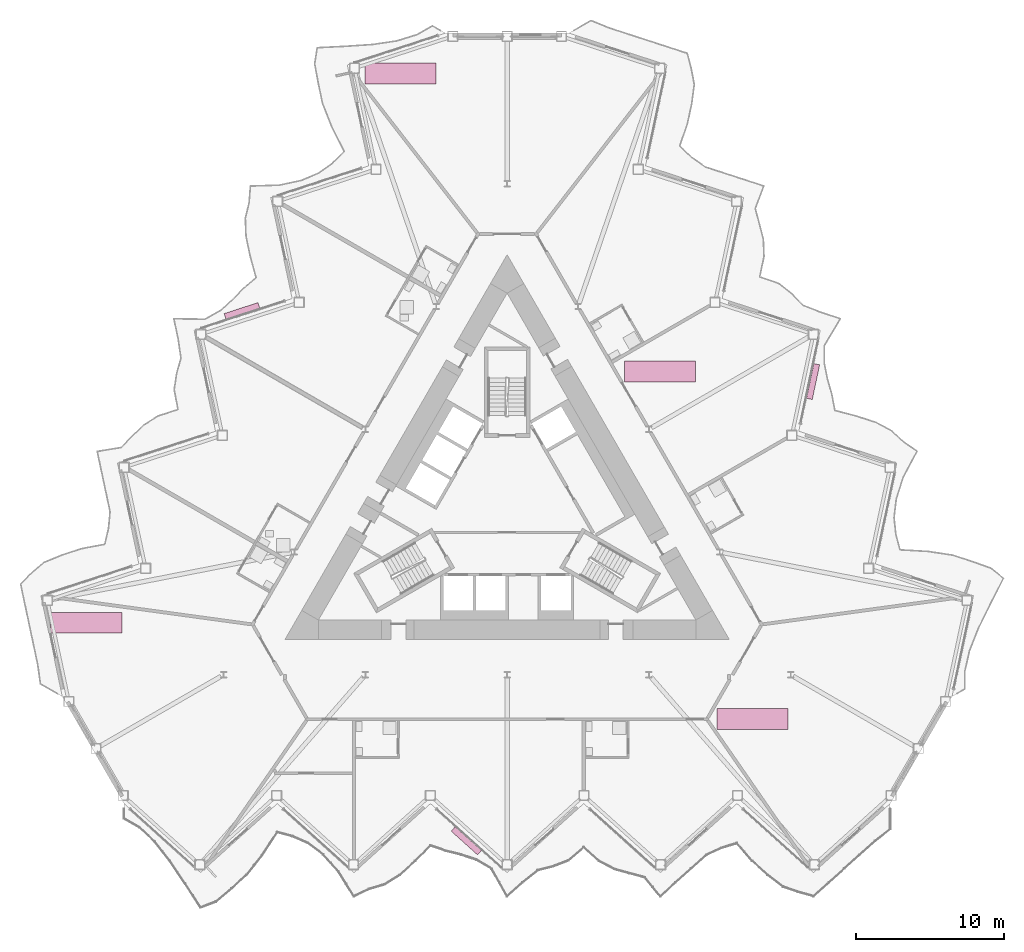
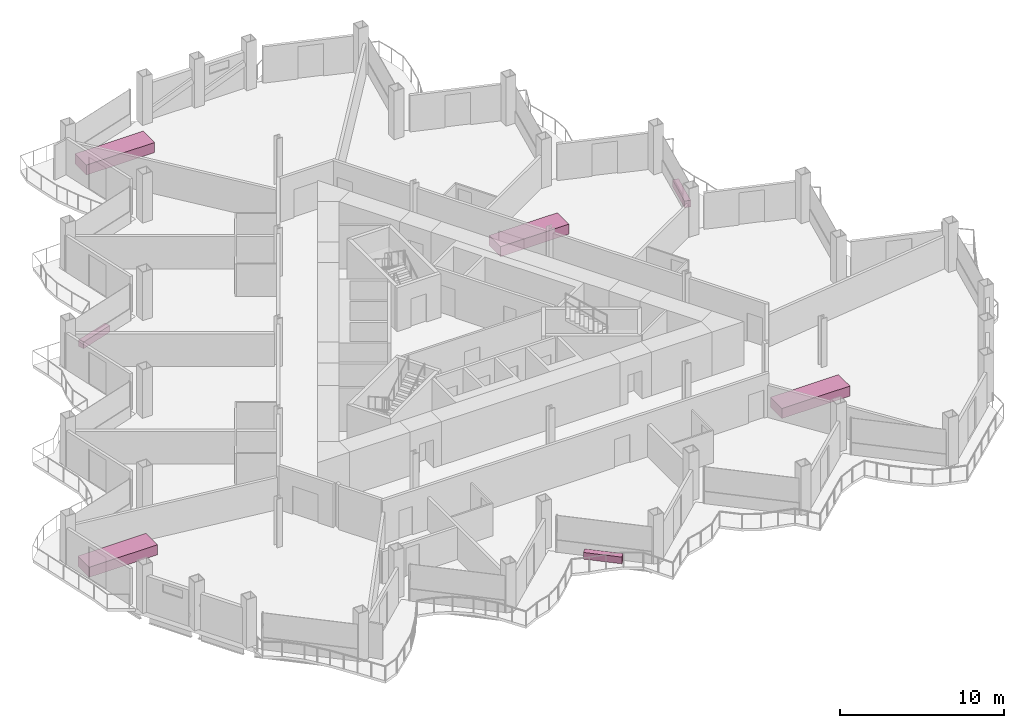
# One storey, part 23 of 23: 7 furniture elements.
"""IFC4 building model written with IfcOpenShell, lengths in metres."""

from ifc_helpers import new_model, si_unit, direction, frame, origin, origin_2d, place, context, subcontext, project, spatial, rectangle, extrude, material, type_object, element, save


model = new_model("IFC4")

# Units and contexts
model_context = context("Model", 3, precision=1e-05, world=origin(), true_north=direction((0.0, 1.0)))
body_context = subcontext(model_context, "Body", "Model", "MODEL_VIEW")
ifc_project = project(units=[si_unit("LENGTHUNIT", "METRE"), si_unit("AREAUNIT", "SQUARE_METRE"), si_unit("VOLUMEUNIT", "CUBIC_METRE"), si_unit("PLANEANGLEUNIT", "RADIAN"), si_unit("MASSUNIT", "GRAM", prefix="KILO")], contexts=[model_context])

# Site, building, storey
site_placement = place(None, origin())
site = spatial("IfcSite", under=ifc_project, at=site_placement, CompositionType="ELEMENT")
building_placement = place(site_placement, origin())
building = spatial("IfcBuilding", under=site, at=building_placement, Name="Cormorant Prow Tower", CompositionType="ELEMENT")
storey_placement = place(building_placement, frame((0.0, 0.0, 249.0)))
storey = spatial("IfcBuildingStorey", under=building, at=storey_placement, Name="L55", CompositionType="ELEMENT", Elevation=249.0)

# Furniture
ifc_material_1 = material(Name="Terracotta", Category="masonry")
furniture_type_1 = type_object("IfcFurnitureType", Name="Balcony planter 2400x400x500", AssemblyPlace="NOTDEFINED", PredefinedType="USERDEFINED", material=ifc_material_1)
for number, where, z_axis, x_axis, name in (
    (1, (-2.755126953125, -22.274169921875, 0.0), (0.0, 0.0, 1.0), (0.743144812176, -0.669130621132, 0.0), "Balcony planter S04"),
    (2, (20.66748046875, 8.7509765625, 0.0), (0.0, 0.0, 1.0), (0.207911667327, 0.978147605727, 0.0), "Balcony planter ENE04"),
    (3, (-17.912353515625, 13.52294921875, 0.0), (0.0, 0.0, 1.0), (-0.951056517978, -0.309016989196, 0.0), "Balcony planter WNW04"),
):
    element("IfcFurniture", number, at=place(storey_placement, frame(where, z_axis=z_axis, x_axis=x_axis)), inside=storey, type_object=furniture_type_1, Name=name, ObjectType="PLANTER", PredefinedType="USERDEFINED", context=body_context, shape_type="SweptSolid", body=[
        extrude(rectangle(XDim=2.39990234375, YDim=0.39990234375, at=origin_2d()), origin(), (0.0, 0.0, 1.0), 0.5),
    ])
ifc_material_2 = material(Name="Timber joinery", Category="wood")
furniture_type_2 = type_object("IfcFurnitureType", Name="Conference table 4800x1400", AssemblyPlace="NOTDEFINED", PredefinedType="TABLE", material=ifc_material_2)
for number, where, z_axis, x_axis, name in (
    (4, (16.561279296875, -14.04052734375, 0.0), (0.0, 0.0, 1.0), (1.0, 0.0, 0.0), "Conference table"),
    (5, (10.3203125, 9.427490234375, 0.0), (0.0, 0.0, 1.0), (1.0, 0.0, 0.0), "Conference table"),
    (6, (-7.206787109375, 29.5654296875, 0.0), (0.0, 0.0, 1.0), (1.0, 0.0, 0.0), "Conference table"),
    (7, (-28.431396484375, -7.54052734375, 0.0), (0.0, 0.0, 1.0), (1.0, 0.0, 0.0), "Conference table"),
):
    element("IfcFurniture", number, at=place(storey_placement, frame(where, z_axis=z_axis, x_axis=x_axis)), inside=storey, type_object=furniture_type_2, Name=name, PredefinedType="TABLE", context=body_context, shape_type="SweptSolid", body=[
        extrude(rectangle(XDim=4.800048828125, YDim=1.39990234375, at=origin_2d()), origin(), (0.0, 0.0, 1.0), 0.75),
    ])

save(model, "model.ifc")
